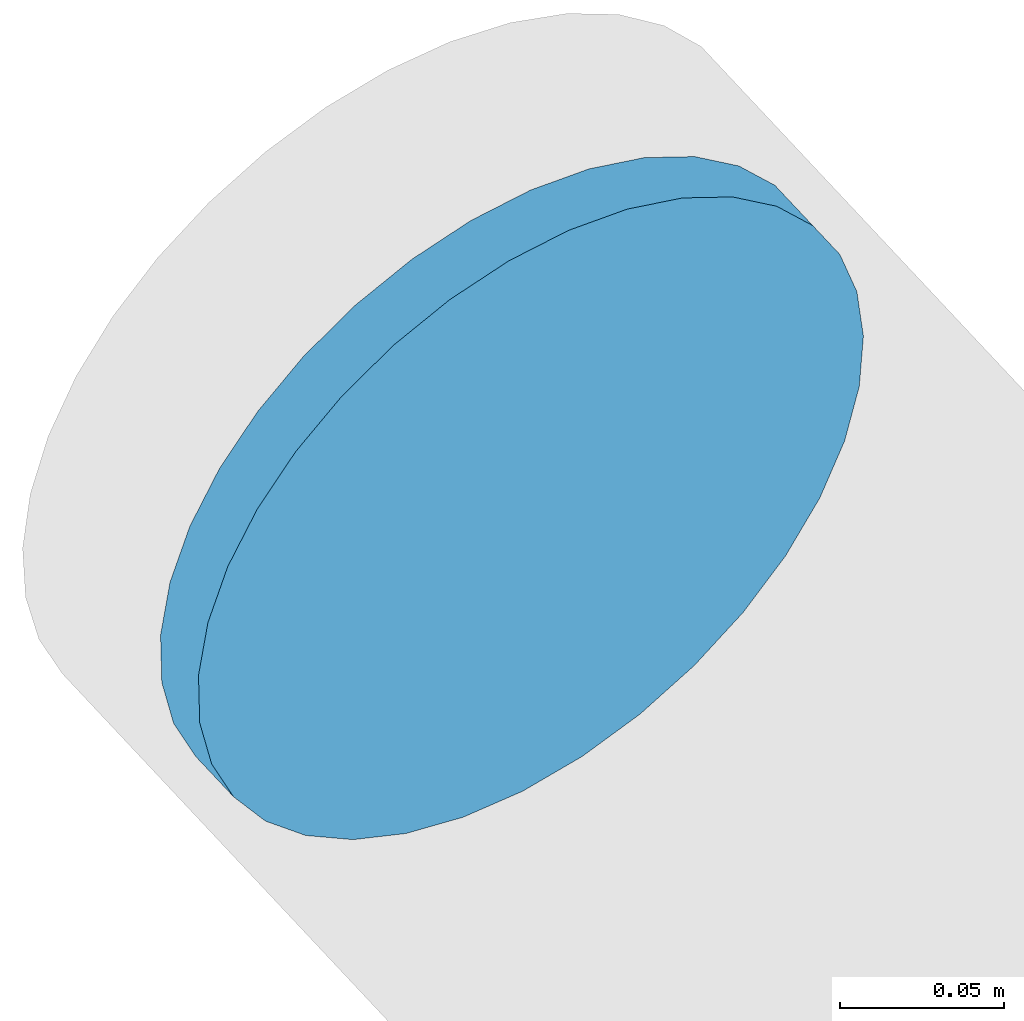
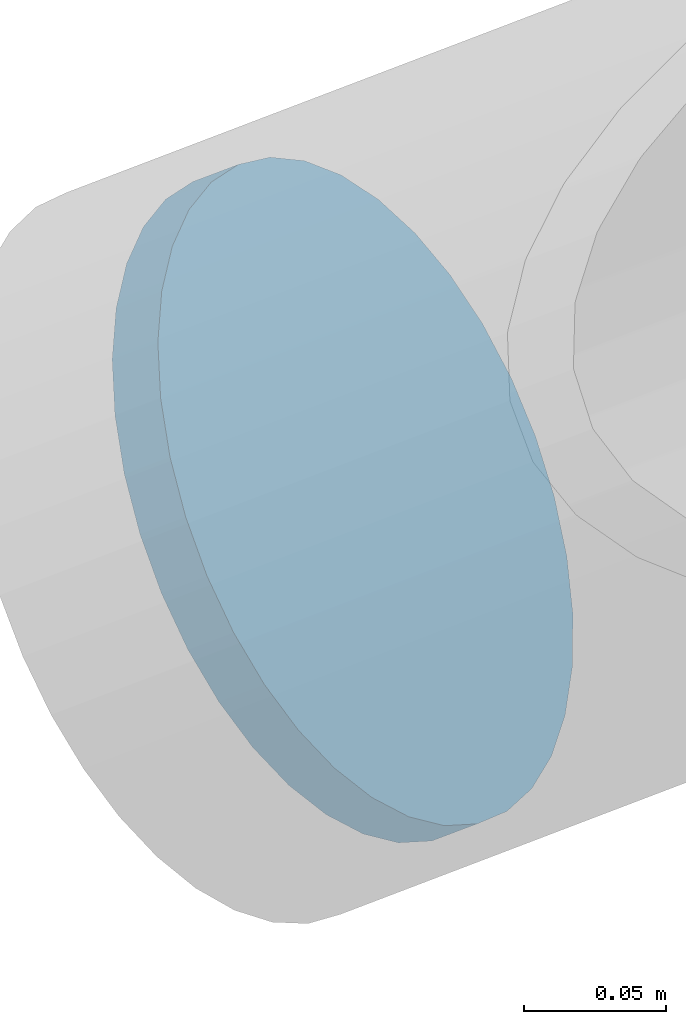
# One storey, part 29 of 36: 1 discrete accessory.
"""IFC4 building model written with IfcOpenShell, lengths in metres."""

from ifc_helpers import new_model, si_unit, direction, frame, origin, origin_2d, place, context, subcontext, project, spatial, circle, extrude, material, material_profile, profile_set, type_object, element, save


model = new_model("IFC4")

# Units and contexts
model_context = context("Model", 3, precision=1e-05, world=origin(), true_north=direction((0.0, 1.0)))
body_context = subcontext(model_context, "Body", "Model", "MODEL_VIEW")
ifc_project = project(units=[si_unit("LENGTHUNIT", "METRE"), si_unit("AREAUNIT", "SQUARE_METRE"), si_unit("VOLUMEUNIT", "CUBIC_METRE"), si_unit("PLANEANGLEUNIT", "RADIAN"), si_unit("MASSUNIT", "GRAM", prefix="KILO")], contexts=[model_context])

# Site, building, storey
site_placement = place(None, origin())
site = spatial("IfcSite", under=ifc_project, at=site_placement, CompositionType="ELEMENT")
building_placement = place(site_placement, origin())
building = spatial("IfcBuilding", under=site, at=building_placement, Name="Rimbun Link Towers", CompositionType="ELEMENT")
storey_placement = place(building_placement, frame((0.0, 0.0, 248.5)))
storey = spatial("IfcBuildingStorey", under=building, at=storey_placement, Name="L61", CompositionType="ELEMENT", Elevation=248.5)

# Discrete accessory
ifc_material = material(Name="Steel S355J2H", Category="steel")
ifc_material_profile = material_profile(ifc_material, circle(Radius=0.1240234375, at=origin_2d()), Name="PL D248")
ifc_profile_set = profile_set([ifc_material_profile], Name="Steel S355J2H")
discrete_accessory_type = type_object("IfcDiscreteAccessoryType", Name="Link foot sealing plate D248X20", PredefinedType="BRACKET", material=ifc_profile_set)
discrete_accessory_placement = place(storey_placement, frame((14.8515625, 10.493408203125, -1.985107421875), z_axis=(-0.576567774677, 0.613369973061, -0.539765576293), x_axis=(-0.728627668902, -0.684910008768, 0.0)))
element("IfcDiscreteAccessory", 1, at=discrete_accessory_placement, inside=storey, type_object=discrete_accessory_type, Name="Link foot sealing plate T2 L61 07", PredefinedType="BRACKET", context=body_context, shape_type="SweptSolid", body=[
    extrude(circle(Radius=0.1240234375, at=origin_2d()), origin(), (0.0, 0.0, 1.0), 0.02001953125),
])

save(model, "model.ifc")
